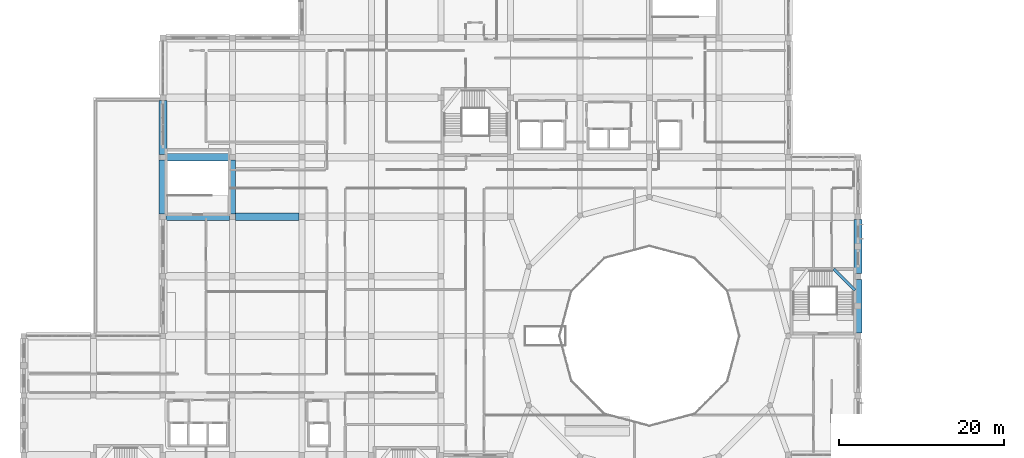
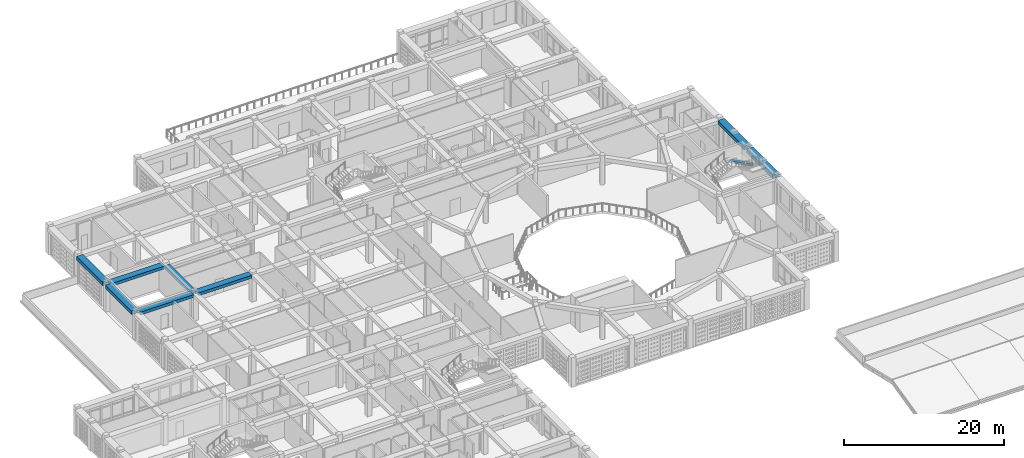
# One storey, part 21 of 79: 9 beams.
"""IFC4 building model written with IfcOpenShell, lengths in metres."""

from ifc_helpers import new_model, si_unit, derived_unit, direction, frame, origin, origin_2d, place, context, subcontext, project, spatial, rectangle, extrude, material, material_profile, profile_set, type_object, element, save


model = new_model("IFC4")

# Units and contexts
model_context = context("Model", 3, precision=1e-05, world=origin(), true_north=direction((0.0, 1.0)))
body_context = subcontext(model_context, "Body", "Model", "MODEL_VIEW")
ifc_project = project(units=[si_unit("LENGTHUNIT", "METRE"), si_unit("AREAUNIT", "SQUARE_METRE"), si_unit("VOLUMEUNIT", "CUBIC_METRE"), si_unit("PLANEANGLEUNIT", "RADIAN"), si_unit("MASSUNIT", "GRAM", prefix="KILO"), derived_unit("THERMALTRANSMITTANCEUNIT", [(si_unit("POWERUNIT", "WATT"), 1), (si_unit("LENGTHUNIT", "METRE"), -2), (si_unit("THERMODYNAMICTEMPERATUREUNIT", "KELVIN"), -1)])], contexts=[model_context])

# Site, building, storey
site_placement = place(None, origin())
site = spatial("IfcSite", under=ifc_project, at=site_placement, CompositionType="ELEMENT")
building_placement = place(site_placement, origin())
building = spatial("IfcBuilding", under=site, at=building_placement, Name="Veybourne Emporium", CompositionType="ELEMENT")
storey_placement = place(building_placement, frame((0.0, 0.0, 18.89990234375)))
storey = spatial("IfcBuildingStorey", under=building, at=storey_placement, Name="L04", CompositionType="ELEMENT", Elevation=18.89990234375)

# Beams
ifc_material = material(Name="Concrete C32/40", Category="concrete")
ifc_material_profile_1 = material_profile(ifc_material, rectangle(XDim=0.35009765625, YDim=0.35009765625, at=origin_2d()), Name="RC 350x350")
ifc_profile_set_1 = profile_set([ifc_material_profile_1], Name="Concrete C32/40")
beam_type_1 = type_object("IfcBeamType", Name="LandingBeam_LB-01", PredefinedType="BEAM", material=ifc_profile_set_1)
beam_1_placement = place(storey_placement, frame((97.8701171875, 58.47509765625, 2.625), z_axis=(0.707072997628, -0.707140563131, 0.0), x_axis=(0.707140563131, 0.707072997628, 0.0)))
element("IfcBeam", 1, at=beam_1_placement, inside=storey, type_object=beam_type_1, Name="L04 ST-07 landing 2 support beam", PredefinedType="BEAM", context=body_context, shape_type="SweptSolid", body=[
    extrude(rectangle(XDim=0.35009765625, YDim=0.35009765625, at=origin_2d()), origin(), (0.0, 0.0, 1.0), 3.61328125),
])
ifc_material_profile_2 = material_profile(ifc_material, rectangle(XDim=0.89990234375, YDim=0.449951171875, at=origin_2d()), Name="RC 900x450")
ifc_profile_set_2 = profile_set([ifc_material_profile_2], Name="Concrete C32/40")
beam_type_2 = type_object("IfcBeamType", Name="RCBeam_BB-03", PredefinedType="BEAM", material=ifc_profile_set_2)
for number, where, z_axis, x_axis, name in (
    (2, (17.14990234375, 64.800048828125, 3.955078125), (1.0, 0.0, 0.0), (0.0, 1.0, 0.0), "L04 X-grid beam BB-03 (2,9)"),
    (3, (17.14990234375, 72.0, 3.955078125), (1.0, 0.0, 0.0), (0.0, 1.0, 0.0), "L04 X-grid beam BB-03 (2,10)"),
):
    element("IfcBeam", number, at=place(storey_placement, frame(where, z_axis=z_axis, x_axis=x_axis)), inside=storey, type_object=beam_type_2, Name=name, PredefinedType="BEAM", context=body_context, shape_type="SweptSolid", body=[
        extrude(rectangle(XDim=0.89990234375, YDim=0.449951171875, at=origin_2d()), origin(), (0.0, 0.0, 1.0), 7.7001953125),
    ])
beam_2_placement = place(storey_placement, frame((25.550048828125, 64.800048828125, 3.955078125), z_axis=(1.0, 0.0, 0.0), x_axis=(0.0, 1.0, 0.0)))
element("IfcBeam", 4, at=beam_2_placement, inside=storey, type_object=beam_type_2, Name="L04 X-grid beam BB-03 (3,9)", PredefinedType="BEAM", context=body_context, shape_type="SweptSolid", body=[
    extrude(rectangle(XDim=0.89990234375, YDim=0.449951171875, at=origin_2d()), origin(), (0.0, 0.0, 1.0), 7.699951171875),
])
ifc_material_profile_3 = material_profile(ifc_material, rectangle(XDim=0.75, YDim=0.449951171875, at=origin_2d()), Name="RC 750x450")
ifc_profile_set_3 = profile_set([ifc_material_profile_3], Name="Concrete C32/40")
beam_type_3 = type_object("IfcBeamType", Name="RCBeam_BB-04", PredefinedType="BEAM", material=ifc_profile_set_3)
beam_3_placement = place(storey_placement, frame((25.199951171875, 65.14990234375, 3.955078125), z_axis=(0.0, 1.0, 0.0), x_axis=(-1.0, 0.0, 0.0)))
element("IfcBeam", 5, at=beam_3_placement, inside=storey, type_object=beam_type_3, Name="L04 Y-grid beam BB-04 (3,9)", PredefinedType="BEAM", context=body_context, shape_type="SweptSolid", body=[
    extrude(rectangle(XDim=0.75, YDim=0.449951171875, at=origin_2d()), origin(), (0.0, 0.0, 1.0), 6.5),
])
ifc_material_profile_4 = material_profile(ifc_material, rectangle(XDim=0.949951171875, YDim=0.550048828125, at=origin_2d()), Name="RC 950x550")
ifc_profile_set_4 = profile_set([ifc_material_profile_4], Name="Concrete C32/40")
beam_type_4 = type_object("IfcBeamType", Name="RCBeam_EB-01", PredefinedType="SPANDREL", material=ifc_profile_set_4)
for number, where, z_axis, x_axis, name in (
    (6, (16.800048828125, 65.14990234375, 3.905029296875), (0.0, 1.0, 0.0), (-1.0, 0.0, 0.0), "L04 Y-grid beam EB-01 (2,9)"),
    (7, (16.800048828125, 72.35009765625, 3.905029296875), (0.0, 1.0, 0.0), (-1.0, 0.0, 0.0), "L04 Y-grid beam EB-01 (2,10)"),
    (8, (100.800048828125, 50.75, 3.905029296875), (0.0, 1.0, 0.0), (-1.0, 0.0, 0.0), "L04 Y-grid beam EB-01 (12,7)"),
    (9, (100.800048828125, 57.949951171875, 3.905029296875), (0.0, 1.0, 0.0), (-1.0, 0.0, 0.0), "L04 Y-grid beam EB-01 (12,8)"),
):
    element("IfcBeam", number, at=place(storey_placement, frame(where, z_axis=z_axis, x_axis=x_axis)), inside=storey, type_object=beam_type_4, Name=name, PredefinedType="SPANDREL", context=body_context, shape_type="SweptSolid", body=[
        extrude(rectangle(XDim=0.949951171875, YDim=0.550048828125, at=origin_2d()), origin(), (0.0, 0.0, 1.0), 6.5),
    ])

save(model, "model.ifc")
